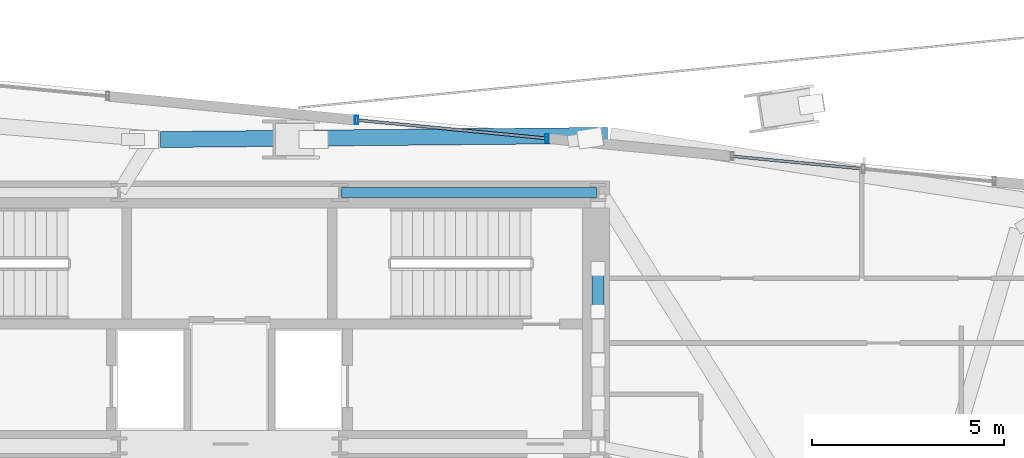
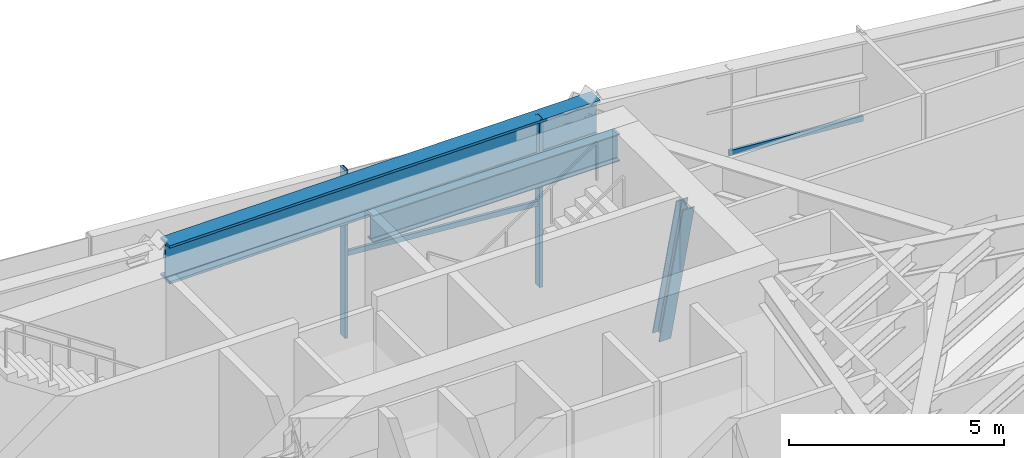
# One storey, part 13 of 23: 5 members, 2 beams, 2 elements without a shape of their own.
"""IFC4 building model written with IfcOpenShell, lengths in metres."""

from ifc_helpers import new_model, si_unit, direction, frame, origin, origin_2d, place, context, subcontext, project, spatial, hollow_rectangle, i_section, extrude, source, transform, mapped, material, material_profile, profile_set, type_object, type_shapes, element, aggregate, save


model = new_model("IFC4")

# Units and contexts
model_context = context("Model", 3, precision=1e-05, world=origin(), true_north=direction((0.0, 1.0)))
body_context = subcontext(model_context, "Body", "Model", "MODEL_VIEW")
ifc_project = project(units=[si_unit("LENGTHUNIT", "METRE"), si_unit("AREAUNIT", "SQUARE_METRE"), si_unit("VOLUMEUNIT", "CUBIC_METRE"), si_unit("PLANEANGLEUNIT", "RADIAN"), si_unit("MASSUNIT", "GRAM", prefix="KILO")], contexts=[model_context])

# Site, building, storey
site_placement = place(None, origin())
site = spatial("IfcSite", under=ifc_project, at=site_placement, CompositionType="ELEMENT")
building_placement = place(site_placement, origin())
building = spatial("IfcBuilding", under=site, at=building_placement, Name="Astriad Promenade Condominiums", CompositionType="ELEMENT")
storey_placement = place(building_placement, frame((0.0, 0.0, 119.39990234375)))
storey = spatial("IfcBuildingStorey", under=building, at=storey_placement, Name="L34", CompositionType="ELEMENT", Elevation=119.39990234375)

# Beams
ifc_material_1 = material(Name="Steel ASTM A992 Grade 50", Category="steel")
ifc_material_profile_1 = material_profile(ifc_material_1, i_section(OverallWidth=0.267822265625, OverallDepth=0.76953125, WebThickness=0.015625, FlangeThickness=0.025390625, FilletRadius=0.021484375, at=origin_2d()), Name="W30X132")
ifc_profile_set_1 = profile_set([ifc_material_profile_1], Name="Steel ASTM A992 Grade 50")
beam_type_1 = type_object("IfcBeamType", Name="STEEL FLOOR GIRDER W30X132", PredefinedType="BEAM", material=ifc_profile_set_1)
shared_shape_1 = source(origin(), body_context, "Body", "SweptSolid", [
    extrude(i_section(OverallWidth=0.267822265625, OverallDepth=0.76953125, WebThickness=0.015625, FlangeThickness=0.025390625, FilletRadius=0.021484375, at=origin_2d()), origin(), (0.0, 0.0, 1.0), 6.64013671875),
])
type_shapes(beam_type_1, [shared_shape_1])
beam_1_placement = place(storey_placement, frame((38.919921875, 24.0, 4.395263671875), z_axis=(1.0, 0.0, 0.0), x_axis=(0.0, 1.0, 0.0)))
element("IfcBeam", 1, at=beam_1_placement, inside=storey, type_object=beam_type_1, Name="Core Ring Beam CG-N3-L34", PredefinedType="BEAM", context=body_context, shape_type="MappedRepresentation", body=[
    mapped(shared_shape_1, transform((0.0, 0.0, 0.0), scale=1.0)),
])
ifc_material_profile_2 = material_profile(ifc_material_1, i_section(OverallWidth=0.4169921875, OverallDepth=1.093505859375, WebThickness=0.0390625, FlangeThickness=0.070068359375, FilletRadius=0.025390625, at=origin_2d()), Name="W40X503")
ifc_profile_set_2 = profile_set([ifc_material_profile_2], Name="Steel ASTM A992 Grade 50")
beam_type_2 = type_object("IfcBeamType", Name="STEEL TRANSFER GIRDER W40X503", PredefinedType="BEAM", material=ifc_profile_set_2)
shared_shape_2 = source(origin(), body_context, "Body", "SweptSolid", [
    extrude(i_section(OverallWidth=0.4169921875, OverallDepth=1.093505859375, WebThickness=0.0390625, FlangeThickness=0.070068359375, FilletRadius=0.025390625, at=origin_2d()), origin(), (0.0, 0.0, 1.0), 11.6376953125),
])
type_shapes(beam_type_2, [shared_shape_2])
beam_2_placement = place(storey_placement, frame((45.84423828125, 25.48876953125, 4.2333984375), z_axis=(-0.999956815101, -0.009293434924, 0.0), x_axis=(0.009293434924, -0.999956815101, 0.0)))
element("IfcBeam", 2, at=beam_2_placement, inside=storey, type_object=beam_type_2, Name="Perimeter Spandrel Beam SP-N3-L34", PredefinedType="BEAM", context=body_context, shape_type="MappedRepresentation", body=[
    mapped(shared_shape_2, transform((0.0, 0.0, 0.0), scale=1.0)),
])

# Member
ifc_material_profile_3 = material_profile(ifc_material_1, i_section(OverallWidth=0.31494140625, OverallDepth=0.340576171875, WebThickness=0.02001953125, FlangeThickness=0.03173828125, FilletRadius=0.01513671875, at=origin_2d()), Name="W12X136")
ifc_profile_set_3 = profile_set([ifc_material_profile_3], Name="Steel ASTM A992 Grade 50")
member_type_1 = type_object("IfcMemberType", Name="STEEL TRANSFER WEB BRACE W12X136", PredefinedType="BRACE", material=ifc_profile_set_3)
shared_shape_3 = source(origin(), body_context, "Body", "SweptSolid", [
    extrude(i_section(OverallWidth=0.31494140625, OverallDepth=0.340576171875, WebThickness=0.02001953125, FlangeThickness=0.03173828125, FilletRadius=0.01513671875, at=origin_2d()), origin(), (0.0, 0.0, 1.0), 4.549072265625),
])
type_shapes(member_type_1, [shared_shape_3])
member_1_placement = place(storey_placement, frame((45.60009765625, 22.013916015625, 0.164306640625), z_axis=(0.0, -0.243974924355, 0.969781540496), x_axis=(1.0, 0.0, 0.0)))
element("IfcMember", 3, at=member_1_placement, inside=storey, type_object=member_type_1, Name="Core Coupling Warren Brace L34-04B", PredefinedType="BRACE", context=body_context, shape_type="MappedRepresentation", body=[
    mapped(shared_shape_3, transform((0.0, 0.0, 0.0), scale=1.0)),
])

# Curtain wall, members
ifc_material_2 = material(Name="Anodised aluminium Black Dark Glass Unitised", Category="aluminium")
curtain_wall_type = type_object("IfcCurtainWallType", Name="CW-B34-DARK", PredefinedType="USERDEFINED", material=ifc_material_2)
curtain_wall_1_placement = place(storey_placement, origin())
curtain_wall_1 = element("IfcCurtainWall", 4, at=curtain_wall_1_placement, inside=storey, type_object=curtain_wall_type, Name="CW-L34-N-3", ObjectType="UNITISED_CURTAIN_WALL", PredefinedType="USERDEFINED")
ifc_material_3 = material(Name="Anodised aluminium 6063-T6 Black", Category="aluminium")
ifc_material_profile_4 = material_profile(ifc_material_3, hollow_rectangle(XDim=0.074951171875, YDim=0.14990234375, WallThickness=0.004150390625, at=origin_2d()), Name="ALU-TRN-75X150")
ifc_profile_set_4 = profile_set([ifc_material_profile_4], Name="Anodised aluminium 6063-T6 Black")
member_type_2 = type_object("IfcMemberType", Name="TRN-ALU-TRN-75X150", PredefinedType="USERDEFINED", material=ifc_profile_set_4)
shared_shape_4 = source(origin(), body_context, "Body", "SweptSolid", [
    extrude(hollow_rectangle(XDim=0.074951171875, YDim=0.14990234375, WallThickness=0.004150390625, at=origin_2d()), origin(), (0.0, 0.0, 1.0), 4.97998046875),
])
member_2_placement = place(storey_placement, frame((39.31103515625, 25.8876953125, 2.35009765625), z_axis=(0.99539644548, -0.095843186117, 0.0), x_axis=(0.095843186117, 0.99539644548, 0.0)))
member_2 = element("IfcMember", 5, at=member_2_placement, type_object=member_type_2, Name="CW-L34-N-3-TRN-00-0", ObjectType="TRANSOM", PredefinedType="USERDEFINED", context=body_context, shape_type="MappedRepresentation", body=[
    mapped(shared_shape_4, transform((0.0, 0.0, 0.0), scale=1.0)),
])
ifc_material_profile_5 = material_profile(ifc_material_3, hollow_rectangle(XDim=0.0849609375, YDim=0.219970703125, WallThickness=0.0048828125, at=origin_2d()), Name="ALU-MUL-85X220")
ifc_profile_set_5 = profile_set([ifc_material_profile_5], Name="Anodised aluminium 6063-T6 Black")
member_type_3 = type_object("IfcMemberType", Name="MUL-ALU-MUL-85X220", PredefinedType="MULLION", material=ifc_profile_set_5)
shared_shape_5 = source(origin(), body_context, "Body", "SweptSolid", [
    extrude(hollow_rectangle(XDim=0.0849609375, YDim=0.219970703125, WallThickness=0.0048828125, at=origin_2d()), origin(), (0.0, 0.0, 1.0), 4.780029296875),
])
type_shapes(member_type_3, [shared_shape_5])
member_3_placement = place(storey_placement, frame((39.31103515625, 25.8876953125, 0.0), z_axis=(0.0, 0.0, 1.0), x_axis=(1.0, 0.0, 0.0)))
member_3 = element("IfcMember", 6, at=member_3_placement, type_object=member_type_3, Name="CW-L34-N-3-MUL-00", PredefinedType="MULLION", context=body_context, shape_type="MappedRepresentation", body=[
    mapped(shared_shape_5, transform((0.0, 0.0, 0.0), scale=1.0)),
])
member_4_placement = place(storey_placement, frame((44.26806640625, 25.410400390625, 0.0), z_axis=(0.0, 0.0, 1.0), x_axis=(1.0, 0.0, 0.0)))
member_4 = element("IfcMember", 7, at=member_4_placement, type_object=member_type_3, Name="CW-L34-N-3-MUL-01", PredefinedType="MULLION", context=body_context, shape_type="MappedRepresentation", body=[
    mapped(shared_shape_5, transform((0.0, 0.0, 0.0), scale=1.0)),
])
aggregate(curtain_wall_1, [member_3, member_4, member_2])

# Curtain wall, member
curtain_wall_2_placement = place(storey_placement, origin())
curtain_wall_2 = element("IfcCurtainWall", 8, at=curtain_wall_2_placement, inside=storey, type_object=curtain_wall_type, Name="CW-L34-N-4", ObjectType="UNITISED_CURTAIN_WALL", PredefinedType="USERDEFINED")
shared_shape_6 = source(origin(), body_context, "Body", "SweptSolid", [
    extrude(hollow_rectangle(XDim=0.074951171875, YDim=0.14990234375, WallThickness=0.004150390625, at=origin_2d()), origin(), (0.0, 0.0, 1.0), 3.43017578125),
])
type_shapes(member_type_2, [shared_shape_4, shared_shape_6])
member_5_placement = place(storey_placement, frame((49.095703125, 24.945556640625, 2.35009765625), z_axis=(0.995393497659, -0.095873796307, 0.0), x_axis=(0.095873796307, 0.995393497659, 0.0)))
member_5 = element("IfcMember", 9, at=member_5_placement, type_object=member_type_2, Name="CW-L34-N-4-TRN-00-0", ObjectType="TRANSOM", PredefinedType="USERDEFINED", context=body_context, shape_type="MappedRepresentation", body=[
    mapped(shared_shape_6, transform((0.0, 0.0, 0.0), scale=1.0)),
])
aggregate(curtain_wall_2, [member_5])

save(model, "model.ifc")
